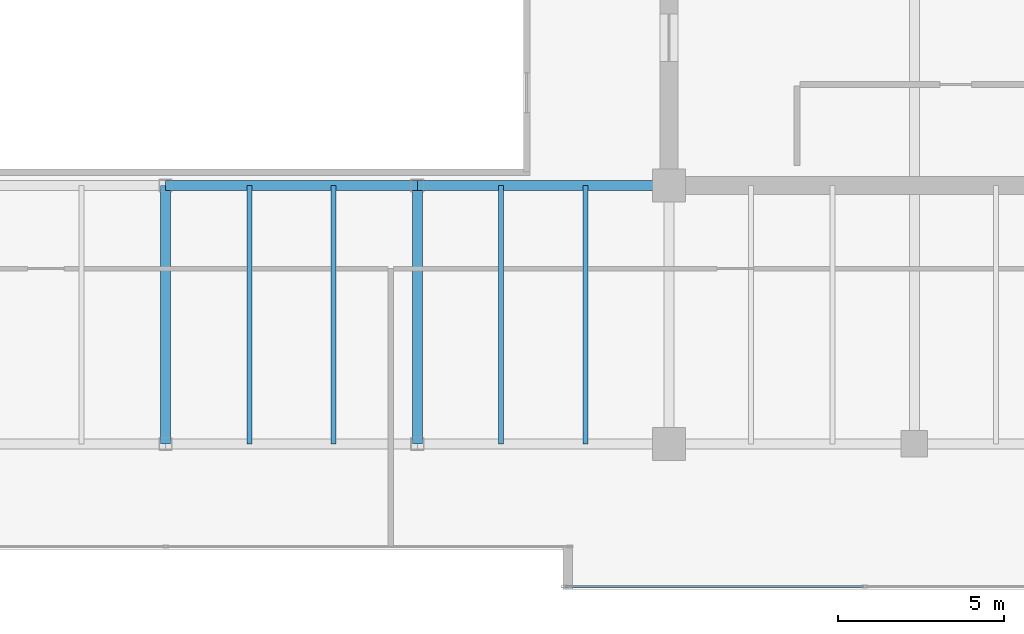
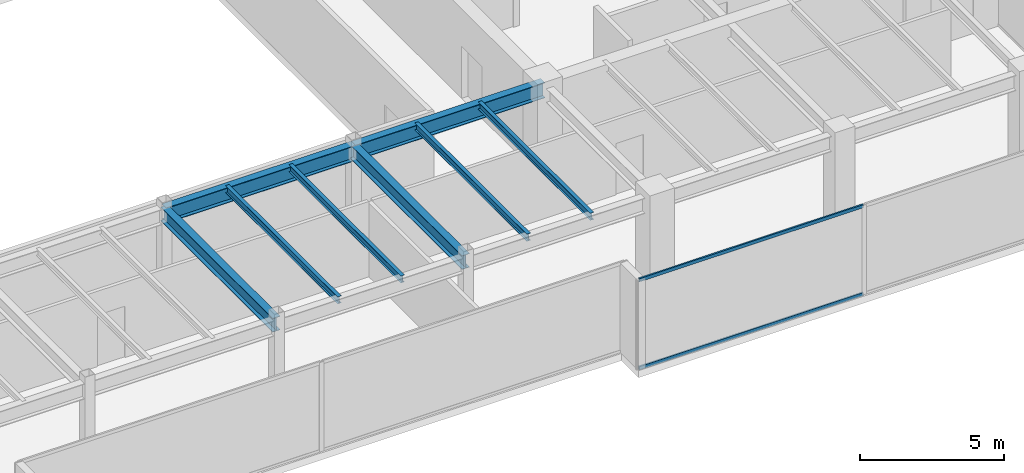
# One storey, part 12 of 33: 8 beams, 2 members, 1 element without a shape of its own.
"""IFC4 building model written with IfcOpenShell, lengths in metres."""

from ifc_helpers import new_model, si_unit, direction, frame, origin, origin_2d, place, context, subcontext, project, spatial, hollow_rectangle, i_section, extrude, source, transform, mapped, material, layer, layer_set, material_profile, profile_set, type_object, type_shapes, element, aggregate, save


model = new_model("IFC4")

# Units and contexts
model_context = context("Model", 3, precision=1e-05, world=origin(), true_north=direction((0.0, 1.0)))
body_context = subcontext(model_context, "Body", "Model", "MODEL_VIEW")
ifc_project = project(units=[si_unit("LENGTHUNIT", "METRE"), si_unit("AREAUNIT", "SQUARE_METRE"), si_unit("VOLUMEUNIT", "CUBIC_METRE"), si_unit("PLANEANGLEUNIT", "RADIAN"), si_unit("MASSUNIT", "GRAM", prefix="KILO")], contexts=[model_context])

# Site, building, storey
site_placement = place(None, origin())
site = spatial("IfcSite", under=ifc_project, at=site_placement, CompositionType="ELEMENT")
building_placement = place(site_placement, origin())
building = spatial("IfcBuilding", under=site, at=building_placement, Name="Haelvirn Gate Laboratories", CompositionType="ELEMENT")
storey_placement = place(building_placement, frame((0.0, 0.0, 230.10009765625)))
storey = spatial("IfcBuildingStorey", under=building, at=storey_placement, Name="L55", CompositionType="ELEMENT", Elevation=230.10009765625)

# Beams
ifc_material_1 = material(Name="Steel SM355", Category="steel")
ifc_material_profile_1 = material_profile(ifc_material_1, i_section(OverallWidth=0.14990234375, OverallDepth=0.300048828125, WebThickness=0.006591796875, FlangeThickness=0.009033203125, at=origin_2d()), Name="H-300x150x6.5x9")
ifc_profile_set_1 = profile_set([ifc_material_profile_1], Name="Steel SM355")
beam_type_1 = type_object("IfcBeamType", Name="BM-J-300", PredefinedType="JOIST", material=ifc_profile_set_1)
shared_shape_1 = source(origin(), body_context, "Body", "SweptSolid", [
    extrude(i_section(OverallWidth=0.14990234375, OverallDepth=0.300048828125, WebThickness=0.006591796875, FlangeThickness=0.009033203125, at=origin_2d()), origin(), (0.0, 0.0, 1.0), 7.800048828125),
])
type_shapes(beam_type_1, [shared_shape_1])
for number, where, z_axis, x_axis, name in (
    (1, (39.929931640625, 7.0, 3.64990234375), (0.0, 1.0, 0.0), (-1.0, 0.0, 0.0), "L55 Composite Lab Joist South X39.93"),
    (2, (42.469970703125, 7.0, 3.64990234375), (0.0, 1.0, 0.0), (-1.0, 0.0, 0.0), "L55 Composite Lab Joist South X42.47"),
    (3, (47.530029296875, 7.0, 3.64990234375), (0.0, 1.0, 0.0), (-1.0, 0.0, 0.0), "L55 Composite Lab Joist South X47.53"),
    (4, (50.070068359375, 7.0, 3.64990234375), (0.0, 1.0, 0.0), (-1.0, 0.0, 0.0), "L55 Composite Lab Joist South X50.07"),
):
    element("IfcBeam", number, at=place(storey_placement, frame(where, z_axis=z_axis, x_axis=x_axis)), inside=storey, type_object=beam_type_1, Name=name, PredefinedType="JOIST", context=body_context, shape_type="MappedRepresentation", body=[
        mapped(shared_shape_1, transform((0.0, 0.0, 0.0), scale=1.0)),
    ])
ifc_material_profile_2 = material_profile(ifc_material_1, i_section(OverallWidth=0.300048828125, OverallDepth=0.587890625, WebThickness=0.011962890625, FlangeThickness=0.02001953125, at=origin_2d()), Name="H-588x300x12x20")
ifc_profile_set_2 = profile_set([ifc_material_profile_2], Name="Steel SM355")
beam_type_2 = type_object("IfcBeamType", Name="BM-G-588", PredefinedType="BEAM", material=ifc_profile_set_2)
shared_shape_2 = source(origin(), body_context, "Body", "SweptSolid", [
    extrude(i_section(OverallWidth=0.300048828125, OverallDepth=0.587890625, WebThickness=0.011962890625, FlangeThickness=0.02001953125, at=origin_2d()), origin(), (0.0, 0.0, 1.0), 7.800048828125),
])
type_shapes(beam_type_2, [shared_shape_2])
for number, where, z_axis, x_axis, name in (
    (5, (37.39990234375, 7.0, 3.505859375), (0.0, 1.0, 0.0), (-1.0, 0.0, 0.0), "L55 Frame Girder X37.4 (7.0-14.8)"),
    (6, (45.0, 7.0, 3.505859375), (0.0, 1.0, 0.0), (-1.0, 0.0, 0.0), "L55 Frame Girder X45.0 (7.0-14.8)"),
):
    element("IfcBeam", number, at=place(storey_placement, frame(where, z_axis=z_axis, x_axis=x_axis)), inside=storey, type_object=beam_type_2, Name=name, PredefinedType="BEAM", context=body_context, shape_type="MappedRepresentation", body=[
        mapped(shared_shape_2, transform((0.0, 0.0, 0.0), scale=1.0)),
    ])
ifc_material_profile_3 = material_profile(ifc_material_1, i_section(OverallWidth=0.300048828125, OverallDepth=0.64990234375, WebThickness=0.012939453125, FlangeThickness=0.02197265625, at=origin_2d()), Name="H-650x300x13x22")
ifc_profile_set_3 = profile_set([ifc_material_profile_3], Name="Steel SM355")
beam_type_3 = type_object("IfcBeamType", Name="BM-G-650", PredefinedType="BEAM", material=ifc_profile_set_3)
shared_shape_3 = source(origin(), body_context, "Body", "SweptSolid", [
    extrude(i_section(OverallWidth=0.300048828125, OverallDepth=0.64990234375, WebThickness=0.012939453125, FlangeThickness=0.02197265625, at=origin_2d()), origin(), (0.0, 0.0, 1.0), 7.60009765625),
])
type_shapes(beam_type_3, [shared_shape_3])
for number, where, z_axis, x_axis, name in (
    (7, (37.39990234375, 14.800048828125, 3.474853515625), (1.0, 0.0, 0.0), (0.0, 1.0, 0.0), "L55 Primary Girder Y14.8 (37.4-45.0)"),
    (8, (45.0, 14.800048828125, 3.474853515625), (1.0, 0.0, 0.0), (0.0, 1.0, 0.0), "L55 Primary Girder Y14.8 (45.0-52.6)"),
):
    element("IfcBeam", number, at=place(storey_placement, frame(where, z_axis=z_axis, x_axis=x_axis)), inside=storey, type_object=beam_type_3, Name=name, PredefinedType="BEAM", context=body_context, shape_type="MappedRepresentation", body=[
        mapped(shared_shape_3, transform((0.0, 0.0, 0.0), scale=1.0)),
    ])

# Curtain wall, members
ifc_material_2 = material(Name="Anodised bronze unitised aluminium & triple low-E glass", Category="aluminium")
ifc_layer = layer(ifc_material_2, 0.176025390625, Name="CW-SYS-4")
ifc_layer_set = layer_set([ifc_layer], Name="Anodised bronze unitised aluminium & triple low-E glass")
curtain_wall_type = type_object("IfcCurtainWallType", Name="CW-SYS-4", PredefinedType="NOTDEFINED", material=ifc_layer_set)
curtain_wall_placement = place(storey_placement, origin())
curtain_wall = element("IfcCurtainWall", 9, at=curtain_wall_placement, inside=storey, type_object=curtain_wall_type, Name="L55 Unitised Curtain Wall CW-L55-P0-E04-1", PredefinedType="NOTDEFINED")
ifc_material_3 = material(Name="Extruded aluminium 6063-T6 (anodised bronze)", Category="aluminium")
ifc_material_profile_4 = material_profile(ifc_material_3, hollow_rectangle(XDim=0.06494140625, YDim=0.139892578125, WallThickness=0.00390625, at=origin_2d()), Name="CWT-140x65x4")
ifc_profile_set_4 = profile_set([ifc_material_profile_4], Name="Extruded aluminium 6063-T6 (anodised bronze)")
member_type = type_object("IfcMemberType", Name="CWT-T140", PredefinedType="USERDEFINED", material=ifc_profile_set_4)
shared_shape_4 = source(origin(), body_context, "Body", "SweptSolid", [
    extrude(hollow_rectangle(XDim=0.06494140625, YDim=0.139892578125, WallThickness=0.00390625, at=origin_2d()), origin(), (0.0, 0.0, 1.0), 8.9951171875),
])
type_shapes(member_type, [shared_shape_4])
member_1_placement = place(storey_placement, frame((49.469970703125, 2.699951171875, 0.032470703125), z_axis=(1.0, 0.0, 0.0), x_axis=(0.0, 1.0, 0.0)))
member_1 = element("IfcMember", 10, at=member_1_placement, type_object=member_type, Name="CW4 transom 1.1", ObjectType="TRANSOM", PredefinedType="USERDEFINED", context=body_context, shape_type="MappedRepresentation", body=[
    mapped(shared_shape_4, transform((0.0, 0.0, 0.0), scale=1.0)),
])
member_2_placement = place(storey_placement, frame((49.469970703125, 2.699951171875, 3.767333984375), z_axis=(1.0, 0.0, 0.0), x_axis=(0.0, 1.0, 0.0)))
member_2 = element("IfcMember", 11, at=member_2_placement, type_object=member_type, Name="CW4 transom 1.2", ObjectType="TRANSOM", PredefinedType="USERDEFINED", context=body_context, shape_type="MappedRepresentation", body=[
    mapped(shared_shape_4, transform((0.0, 0.0, 0.0), scale=1.0)),
])
aggregate(curtain_wall, [member_1, member_2])

save(model, "model.ifc")
